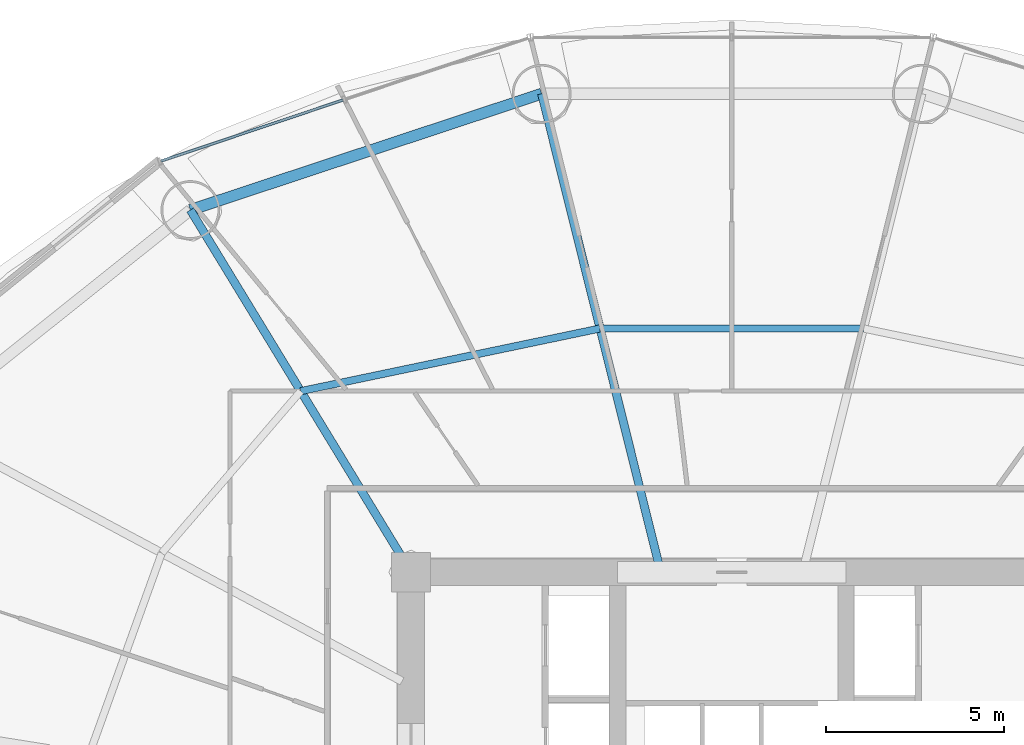
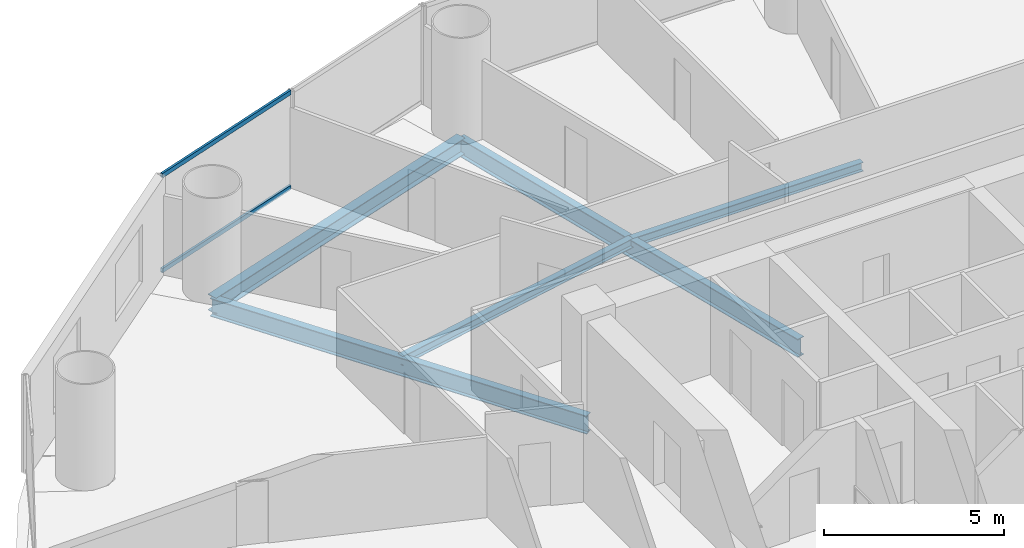
# One storey, part 17 of 30: 5 beams, 2 members, 1 element without a shape of its own.
"""IFC4 building model written with IfcOpenShell, lengths in metres."""

from ifc_helpers import new_model, si_unit, direction, frame, origin, origin_2d, place, context, subcontext, project, spatial, hollow_rectangle, i_section, extrude, source, transform, mapped, material, material_profile, profile_set, type_object, element, aggregate, save


model = new_model("IFC4")

# Units and contexts
model_context = context("Model", 3, precision=1e-05, world=origin(), true_north=direction((-0.2419218956, 0.970295726276)))
body_context = subcontext(model_context, "Body", "Model", "MODEL_VIEW")
ifc_project = project(units=[si_unit("LENGTHUNIT", "METRE"), si_unit("AREAUNIT", "SQUARE_METRE"), si_unit("VOLUMEUNIT", "CUBIC_METRE"), si_unit("PLANEANGLEUNIT", "RADIAN"), si_unit("MASSUNIT", "GRAM", prefix="KILO")], contexts=[model_context])

# Site, building, storey
site_placement = place(None, origin())
site = spatial("IfcSite", under=ifc_project, at=site_placement, CompositionType="ELEMENT")
building_placement = place(site_placement, origin())
building = spatial("IfcBuilding", under=site, at=building_placement, Name="Cobrevalo Terracotta Tower", CompositionType="ELEMENT")
storey_placement = place(building_placement, frame((0.0, 0.0, 63.60009765625)))
storey = spatial("IfcBuildingStorey", under=building, at=storey_placement, Name="L16", CompositionType="ELEMENT", Elevation=63.60009765625)

# Beams
ifc_material_1 = material(Name="Steel S355", Category="steel")
ifc_material_profile_1 = material_profile(ifc_material_1, i_section(OverallWidth=0.22998046875, OverallDepth=0.616943359375, WebThickness=0.01318359375, FlangeThickness=0.022216796875, at=origin_2d()), Name="W 610x140")
ifc_profile_set_1 = profile_set([ifc_material_profile_1], Name="Steel S355")
beam_type_1 = type_object("IfcBeamType", Name="Structural Beam W 610x140 (Steel S355)", PredefinedType="BEAM", material=ifc_profile_set_1)
beam_1_placement = place(storey_placement, frame((32.664306640625, 48.230224609375, -0.588623046875), z_axis=(0.241596254786, -0.970376859614, 0.0), x_axis=(0.970376859614, 0.241596254786, 0.0)))
element("IfcBeam", 1, at=beam_1_placement, inside=storey, type_object=beam_type_1, Name="L16 radial floor girder 05", PredefinedType="BEAM", context=body_context, shape_type="SweptSolid", body=[
    extrude(i_section(OverallWidth=0.22998046875, OverallDepth=0.616943359375, WebThickness=0.01318359375, FlangeThickness=0.022216796875, at=origin_2d()), origin(), (0.0, 0.0, 1.0), 13.577392578125),
])
beam_2_placement = place(storey_placement, frame((22.80517578125, 44.967529296875, -0.588623046875), z_axis=(0.520309892051, -0.853977526773, 0.0), x_axis=(0.853977526773, 0.520309892051, 0.0)))
element("IfcBeam", 2, at=beam_2_placement, inside=storey, type_object=beam_type_1, Name="L16 radial floor girder 06", PredefinedType="BEAM", context=body_context, shape_type="SweptSolid", body=[
    extrude(i_section(OverallWidth=0.22998046875, OverallDepth=0.616943359375, WebThickness=0.01318359375, FlangeThickness=0.022216796875, at=origin_2d()), origin(), (0.0, 0.0, 1.0), 11.906005859375),
])
ifc_material_profile_2 = material_profile(ifc_material_1, i_section(OverallWidth=0.2041015625, OverallDepth=0.305908203125, WebThickness=0.008544921875, FlangeThickness=0.0146484375, at=origin_2d()), Name="W 310x67")
ifc_profile_set_2 = profile_set([ifc_material_profile_2], Name="Steel S355")
beam_type_2 = type_object("IfcBeamType", Name="Structural Joist W 310x67 (Steel S355)", PredefinedType="JOIST", material=ifc_profile_set_2)
beam_3_placement = place(storey_placement, frame((41.695556640625, 41.642578125, -0.43310546875), z_axis=(-1.0, 0.0, 0.0), x_axis=(0.0, -1.0, 0.0)))
element("IfcBeam", 3, at=beam_3_placement, inside=storey, type_object=beam_type_2, Name="L16 circumferential secondary floor joist 04", PredefinedType="JOIST", context=body_context, shape_type="SweptSolid", body=[
    extrude(i_section(OverallWidth=0.2041015625, OverallDepth=0.305908203125, WebThickness=0.008544921875, FlangeThickness=0.0146484375, at=origin_2d()), origin(), (0.0, 0.0, 1.0), 7.39111328125),
])
beam_4_placement = place(storey_placement, frame((34.304443359375, 41.642578125, -0.43310546875), z_axis=(-0.978784523904, -0.204892302848, 0.0), x_axis=(0.204892302848, -0.978784523904, 0.0)))
element("IfcBeam", 4, at=beam_4_placement, inside=storey, type_object=beam_type_2, Name="L16 circumferential secondary floor joist 05", PredefinedType="JOIST", context=body_context, shape_type="SweptSolid", body=[
    extrude(i_section(OverallWidth=0.2041015625, OverallDepth=0.305908203125, WebThickness=0.008544921875, FlangeThickness=0.0146484375, at=origin_2d()), origin(), (0.0, 0.0, 1.0), 8.583984375),
])
ifc_material_profile_3 = material_profile(ifc_material_1, i_section(OverallWidth=0.31201171875, OverallDepth=0.54296875, WebThickness=0.0126953125, FlangeThickness=0.020263671875, at=origin_2d()), Name="W 530x150")
ifc_profile_set_3 = profile_set([ifc_material_profile_3], Name="Steel S355")
beam_type_3 = type_object("IfcBeamType", Name="Structural Spandrel W 530x150 (Steel S355)", PredefinedType="SPANDREL", material=ifc_profile_set_3)
beam_5_placement = place(storey_placement, frame((32.664306640625, 48.230224609375, -0.551513671875), z_axis=(-0.949365190876, -0.314174687638, 0.0), x_axis=(0.314174687638, -0.949365190876, 0.0)))
element("IfcBeam", 5, at=beam_5_placement, inside=storey, type_object=beam_type_3, Name="L16 perimeter ring spandrel 05", PredefinedType="SPANDREL", context=body_context, shape_type="SweptSolid", body=[
    extrude(i_section(OverallWidth=0.31201171875, OverallDepth=0.54296875, WebThickness=0.0126953125, FlangeThickness=0.020263671875, at=origin_2d()), origin(), (0.0, 0.0, 1.0), 10.385009765625),
])

# Curtain wall, members
ifc_material_2 = material(Name="Anodized aluminium", Category="aluminium")
curtain_wall_type = type_object("IfcCurtainWallType", Name="Lower-tower unitised acoustic low-E curtain wall CW-U1", PredefinedType="NOTDEFINED", material=ifc_material_2)
curtain_wall_placement = place(storey_placement, origin())
curtain_wall = element("IfcCurtainWall", 6, at=curtain_wall_placement, inside=storey, type_object=curtain_wall_type, Name="L16 curtain wall CW-L16-S05", PredefinedType="NOTDEFINED")
ifc_material_profile_4 = material_profile(ifc_material_2, hollow_rectangle(XDim=0.074951171875, YDim=0.14990234375, WallThickness=0.00439453125, at=origin_2d()), Name="CWT 75x150")
ifc_profile_set_4 = profile_set([ifc_material_profile_4], Name="Anodized aluminium")
member_type = type_object("IfcMemberType", Name="Tower unitised aluminium transom 75x150", PredefinedType="USERDEFINED", material=ifc_profile_set_4)
shared_shape = source(origin(), body_context, "Body", "SweptSolid", [
    extrude(hollow_rectangle(XDim=0.074951171875, YDim=0.14990234375, WallThickness=0.00439453125, at=origin_2d()), origin(), (0.0, 0.0, 1.0), 5.387939453125),
])
member_1_placement = place(storey_placement, frame((27.0888671875, 48.05419921875, 0.0498046875), z_axis=(-0.94804244582, -0.318143868278, 0.0), x_axis=(0.318143868278, -0.94804244582, 0.0)))
member_1 = element("IfcMember", 7, at=member_1_placement, type_object=member_type, Name="CW-L16-S05 transom B02-T1", ObjectType="TRANSOM", PredefinedType="USERDEFINED", context=body_context, shape_type="MappedRepresentation", body=[
    mapped(shared_shape, transform((0.0, 0.0, 0.0), scale=1.0)),
])
member_2_placement = place(storey_placement, frame((27.0888671875, 48.05419921875, 3.27001953125), z_axis=(-0.94804244582, -0.318143868278, 0.0), x_axis=(0.318143868278, -0.94804244582, 0.0)))
member_2 = element("IfcMember", 8, at=member_2_placement, type_object=member_type, Name="CW-L16-S05 transom B02-T2", ObjectType="TRANSOM", PredefinedType="USERDEFINED", context=body_context, shape_type="MappedRepresentation", body=[
    mapped(shared_shape, transform((0.0, 0.0, 0.0), scale=1.0)),
])
aggregate(curtain_wall, [member_1, member_2])

save(model, "model.ifc")
